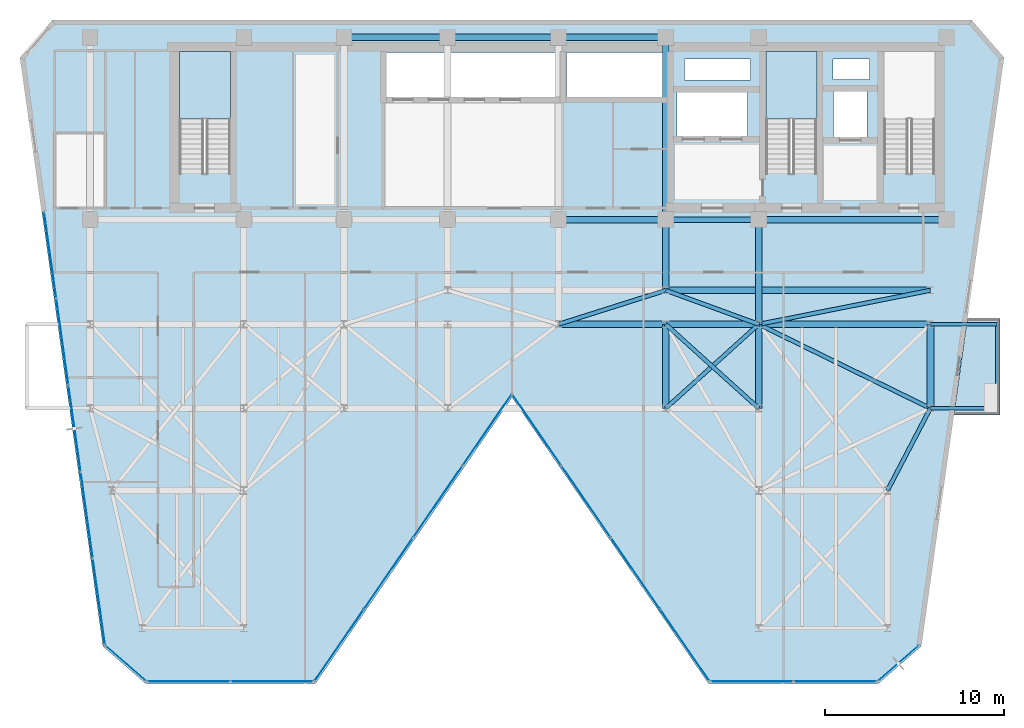
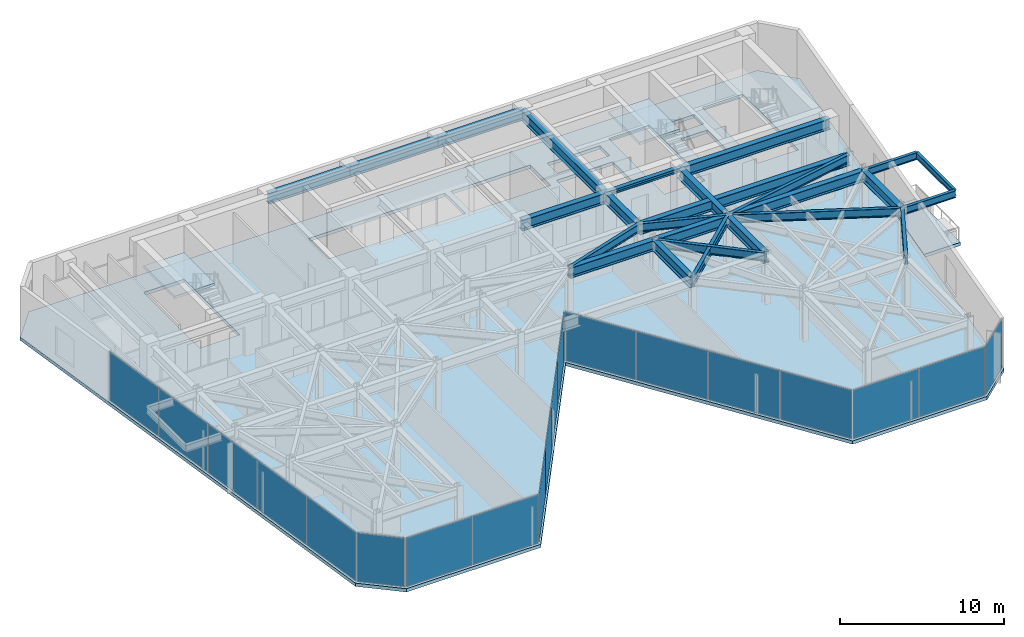
# One storey, part 21 of 27: 26 beams, 19 plates, 4 slabs, 9 elements without a shape of their own.
"""IFC4 building model written with IfcOpenShell, lengths in metres."""

from ifc_helpers import new_model, si_unit, direction, frame, origin, origin_2d, place, context, subcontext, project, spatial, polyline, rectangle, i_section, outline, extrude, material, layer, layer_set, material_profile, profile_set, type_object, element, aggregate, save


model = new_model("IFC4")

# Units and contexts
model_context = context("Model", 3, precision=1e-05, world=origin(), true_north=direction((0.0, 1.0)))
body_context = subcontext(model_context, "Body", "Model", "MODEL_VIEW")
ifc_project = project(units=[si_unit("LENGTHUNIT", "METRE"), si_unit("AREAUNIT", "SQUARE_METRE"), si_unit("VOLUMEUNIT", "CUBIC_METRE"), si_unit("PLANEANGLEUNIT", "RADIAN"), si_unit("MASSUNIT", "GRAM", prefix="KILO")], contexts=[model_context])

# Site, building, storey
site_placement = place(None, origin())
site = spatial("IfcSite", under=ifc_project, at=site_placement, CompositionType="ELEMENT")
building_placement = place(site_placement, origin())
building = spatial("IfcBuilding", under=site, at=building_placement, Name="Kravanh Interchange Tower", CompositionType="ELEMENT")
storey_placement = place(building_placement, frame((0.0, 0.0, 188.5)))
storey = spatial("IfcBuildingStorey", under=building, at=storey_placement, Name="L45", CompositionType="ELEMENT", Elevation=188.5)

# Beams
ifc_material_1 = material(Name="Structural Steel S355", Category="steel")
ifc_material_profile_1 = material_profile(ifc_material_1, i_section(OverallWidth=0.381103515625, OverallDepth=0.77294921875, WebThickness=0.0166015625, FlangeThickness=0.027099609375, FilletRadius=0.02490234375, at=origin_2d()), Name="W30X173")
ifc_profile_set_1 = profile_set([ifc_material_profile_1], Name="Structural Steel S355")
beam_type_1 = type_object("IfcBeamType", Name="Floor Beam W30X173 Structural Steel S355", PredefinedType="BEAM", material=ifc_profile_set_1)
beam_1_placement = place(storey_placement, frame((66.5, 37.35009765625, 3.368408203125), z_axis=(-1.0, 0.0, 0.0), x_axis=(0.0, -1.0, 0.0)))
element("IfcBeam", 1, at=beam_1_placement, inside=storey, type_object=beam_type_1, Name="L45 Primary Floor Girder 5", PredefinedType="BEAM", context=body_context, shape_type="SweptSolid", body=[
    extrude(i_section(OverallWidth=0.381103515625, OverallDepth=0.77294921875, WebThickness=0.0166015625, FlangeThickness=0.027099609375, FilletRadius=0.02490234375, at=origin_2d()), origin(), (0.0, 0.0, 1.0), 10.5),
])
beam_2_placement = place(storey_placement, frame((56.0, 37.35009765625, 3.368408203125), z_axis=(0.0, -1.0, 0.0), x_axis=(1.0, 0.0, 0.0)))
element("IfcBeam", 2, at=beam_2_placement, inside=storey, type_object=beam_type_1, Name="L45 Primary Floor Girder 7", PredefinedType="BEAM", context=body_context, shape_type="SweptSolid", body=[
    extrude(i_section(OverallWidth=0.381103515625, OverallDepth=0.77294921875, WebThickness=0.0166015625, FlangeThickness=0.027099609375, FilletRadius=0.02490234375, at=origin_2d()), origin(), (0.0, 0.0, 1.0), 5.85009765625),
])
beam_3_placement = place(storey_placement, frame((50.800048828125, 47.550048828125, 3.368408203125), z_axis=(-1.0, 0.0, 0.0), x_axis=(0.0, -1.0, 0.0)))
element("IfcBeam", 3, at=beam_3_placement, inside=storey, type_object=beam_type_1, Name="L45 Primary Floor Girder 8", PredefinedType="BEAM", context=body_context, shape_type="SweptSolid", body=[
    extrude(i_section(OverallWidth=0.381103515625, OverallDepth=0.77294921875, WebThickness=0.0166015625, FlangeThickness=0.027099609375, FilletRadius=0.02490234375, at=origin_2d()), origin(), (0.0, 0.0, 1.0), 6.0),
])
beam_4_placement = place(storey_placement, frame((50.800048828125, 47.550048828125, 3.368408203125), z_axis=(0.0, -1.0, 0.0), x_axis=(1.0, 0.0, 0.0)))
element("IfcBeam", 4, at=beam_4_placement, inside=storey, type_object=beam_type_1, Name="L45 Primary Floor Girder 9", PredefinedType="BEAM", context=body_context, shape_type="SweptSolid", body=[
    extrude(i_section(OverallWidth=0.381103515625, OverallDepth=0.77294921875, WebThickness=0.0166015625, FlangeThickness=0.027099609375, FilletRadius=0.02490234375, at=origin_2d()), origin(), (0.0, 0.0, 1.0), 10.199951171875),
])
beam_5_placement = place(storey_placement, frame((50.800048828125, 37.35009765625, 3.368408203125), z_axis=(0.0, -1.0, 0.0), x_axis=(1.0, 0.0, 0.0)))
element("IfcBeam", 5, at=beam_5_placement, inside=storey, type_object=beam_type_1, Name="L45 Primary Floor Girder 10", PredefinedType="BEAM", context=body_context, shape_type="SweptSolid", body=[
    extrude(i_section(OverallWidth=0.381103515625, OverallDepth=0.77294921875, WebThickness=0.0166015625, FlangeThickness=0.027099609375, FilletRadius=0.02490234375, at=origin_2d()), origin(), (0.0, 0.0, 1.0), 3.9501953125),
])
beam_6_placement = place(storey_placement, frame((50.800048828125, 37.35009765625, 3.368408203125), z_axis=(-1.0, 0.0, 0.0), x_axis=(0.0, -1.0, 0.0)))
element("IfcBeam", 6, at=beam_6_placement, inside=storey, type_object=beam_type_1, Name="L45 Primary Floor Girder 11", PredefinedType="BEAM", context=body_context, shape_type="SweptSolid", body=[
    extrude(i_section(OverallWidth=0.381103515625, OverallDepth=0.77294921875, WebThickness=0.0166015625, FlangeThickness=0.027099609375, FilletRadius=0.02490234375, at=origin_2d()), origin(), (0.0, 0.0, 1.0), 6.0),
])
beam_7_placement = place(storey_placement, frame((44.800048828125, 47.550048828125, 3.368408203125), z_axis=(-1.0, 0.0, 0.0), x_axis=(0.0, -1.0, 0.0)))
element("IfcBeam", 7, at=beam_7_placement, inside=storey, type_object=beam_type_1, Name="L45 Primary Floor Girder 15", PredefinedType="BEAM", context=body_context, shape_type="SweptSolid", body=[
    extrude(i_section(OverallWidth=0.381103515625, OverallDepth=0.77294921875, WebThickness=0.0166015625, FlangeThickness=0.027099609375, FilletRadius=0.02490234375, at=origin_2d()), origin(), (0.0, 0.0, 1.0), 6.199951171875),
])
beam_8_placement = place(storey_placement, frame((38.60009765625, 47.550048828125, 3.368408203125), z_axis=(-1.0, 0.0, 0.0), x_axis=(0.0, -1.0, 0.0)))
element("IfcBeam", 8, at=beam_8_placement, inside=storey, type_object=beam_type_1, Name="L45 Primary Floor Girder 19", PredefinedType="BEAM", context=body_context, shape_type="SweptSolid", body=[
    extrude(i_section(OverallWidth=0.381103515625, OverallDepth=0.77294921875, WebThickness=0.0166015625, FlangeThickness=0.027099609375, FilletRadius=0.02490234375, at=origin_2d()), origin(), (0.0, 0.0, 1.0), 5.800048828125),
])
for number, where, z_axis, x_axis, name in (
    (9, (50.800048828125, 26.800048828125, 3.368408203125), (0.0, 1.0, 0.0), (-1.0, 0.0, 0.0), "L45 Primary Floor Girder 49"),
    (10, (56.0, 26.800048828125, 3.368408203125), (0.0, 1.0, 0.0), (-1.0, 0.0, 0.0), "L45 Primary Floor Girder 54"),
    (11, (65.60009765625, 26.800048828125, 3.368408203125), (0.0, 1.0, 0.0), (-1.0, 0.0, 0.0), "L45 Primary Floor Girder 57"),
):
    element("IfcBeam", number, at=place(storey_placement, frame(where, z_axis=z_axis, x_axis=x_axis)), inside=storey, type_object=beam_type_1, Name=name, PredefinedType="BEAM", context=body_context, shape_type="SweptSolid", body=[
        extrude(i_section(OverallWidth=0.381103515625, OverallDepth=0.77294921875, WebThickness=0.0166015625, FlangeThickness=0.027099609375, FilletRadius=0.02490234375, at=origin_2d()), origin(), (0.0, 0.0, 1.0), 4.699951171875),
    ])
beam_9_placement = place(storey_placement, frame((44.800048828125, 31.5, 3.368408203125), z_axis=(1.0, 0.0, 0.0), x_axis=(0.0, 1.0, 0.0)))
element("IfcBeam", 12, at=beam_9_placement, inside=storey, type_object=beam_type_1, Name="L45 Primary Floor Girder 74", PredefinedType="BEAM", context=body_context, shape_type="SweptSolid", body=[
    extrude(i_section(OverallWidth=0.381103515625, OverallDepth=0.77294921875, WebThickness=0.0166015625, FlangeThickness=0.027099609375, FilletRadius=0.02490234375, at=origin_2d()), origin(), (0.0, 0.0, 1.0), 6.0),
])
beam_10_placement = place(storey_placement, frame((50.800048828125, 31.5, 3.368408203125), z_axis=(1.0, 0.0, 0.0), x_axis=(0.0, 1.0, 0.0)))
element("IfcBeam", 13, at=beam_10_placement, inside=storey, type_object=beam_type_1, Name="L45 Primary Floor Girder 77", PredefinedType="BEAM", context=body_context, shape_type="SweptSolid", body=[
    extrude(i_section(OverallWidth=0.381103515625, OverallDepth=0.77294921875, WebThickness=0.0166015625, FlangeThickness=0.027099609375, FilletRadius=0.02490234375, at=origin_2d()), origin(), (0.0, 0.0, 1.0), 5.199951171875),
])
beam_11_placement = place(storey_placement, frame((56.0, 31.5, 3.368408203125), z_axis=(1.0, 0.0, 0.0), x_axis=(0.0, 1.0, 0.0)))
element("IfcBeam", 14, at=beam_11_placement, inside=storey, type_object=beam_type_1, Name="L45 Primary Floor Girder 81", PredefinedType="BEAM", context=body_context, shape_type="SweptSolid", body=[
    extrude(i_section(OverallWidth=0.381103515625, OverallDepth=0.77294921875, WebThickness=0.0166015625, FlangeThickness=0.027099609375, FilletRadius=0.02490234375, at=origin_2d()), origin(), (0.0, 0.0, 1.0), 9.60009765625),
])
beam_12_placement = place(storey_placement, frame((50.800048828125, 33.39990234375, 3.368408203125), z_axis=(1.0, 0.0, 0.0), x_axis=(0.0, 1.0, 0.0)))
element("IfcBeam", 15, at=beam_12_placement, inside=storey, type_object=beam_type_1, Name="L45 Primary Floor Girder 95", PredefinedType="BEAM", context=body_context, shape_type="SweptSolid", body=[
    extrude(i_section(OverallWidth=0.381103515625, OverallDepth=0.77294921875, WebThickness=0.0166015625, FlangeThickness=0.027099609375, FilletRadius=0.02490234375, at=origin_2d()), origin(), (0.0, 0.0, 1.0), 14.800048828125),
])
ifc_material_2 = material(Name="Structural Steel S355", Category="steel")
ifc_material_profile_2 = material_profile(ifc_material_2, i_section(OverallWidth=0.18994140625, OverallDepth=0.45703125, WebThickness=0.009033203125, FlangeThickness=0.014404296875, FilletRadius=0.01806640625, at=origin_2d()), Name="W18X50")
ifc_profile_set_2 = profile_set([ifc_material_profile_2], Name="Structural Steel S355")
beam_type_2 = type_object("IfcBeamType", Name="Floor Joist W18X50 Structural Steel S355", PredefinedType="JOIST", material=ifc_profile_set_2)
beam_13_placement = place(storey_placement, frame((69.330078125, 26.800048828125, 3.526611328125), z_axis=(0.0, 1.0, 0.0), x_axis=(-1.0, 0.0, 0.0)))
element("IfcBeam", 16, at=beam_13_placement, inside=storey, type_object=beam_type_2, Name="L45 Balcony Edge Tie Beam E", PredefinedType="JOIST", context=body_context, shape_type="SweptSolid", body=[
    extrude(i_section(OverallWidth=0.18994140625, OverallDepth=0.45703125, WebThickness=0.009033203125, FlangeThickness=0.014404296875, FilletRadius=0.01806640625, at=origin_2d()), origin(), (0.0, 0.0, 1.0), 4.699951171875),
])
ifc_material_3 = material(Name="Structural Steel S355", Category="steel")
ifc_material_profile_3 = material_profile(ifc_material_3, i_section(OverallWidth=0.304931640625, OverallDepth=0.306884765625, WebThickness=0.010009765625, FlangeThickness=0.015380859375, FilletRadius=0.014892578125, at=origin_2d()), Name="W12X65")
ifc_profile_set_3 = profile_set([ifc_material_profile_3], Name="Structural Steel S355")
beam_type_3 = type_object("IfcBeamType", Name="Floor Lintel W12X65 Structural Steel S355", PredefinedType="LINTEL", material=ifc_profile_set_3)
beam_14_placement = place(storey_placement, frame((50.800048828125, 37.35009765625, 3.6015625), z_axis=(1.0, 0.0, 0.0), x_axis=(0.0, 1.0, 0.0)))
element("IfcBeam", 17, at=beam_14_placement, inside=storey, type_object=beam_type_3, Name="L45 Core Coupling Lintel 1", PredefinedType="LINTEL", context=body_context, shape_type="SweptSolid", body=[
    extrude(i_section(OverallWidth=0.304931640625, OverallDepth=0.306884765625, WebThickness=0.010009765625, FlangeThickness=0.015380859375, FilletRadius=0.014892578125, at=origin_2d()), origin(), (0.0, 0.0, 1.0), 5.199951171875),
])
ifc_material_4 = material(Name="Structural Steel S355", Category="steel")
ifc_material_profile_4 = material_profile(ifc_material_4, i_section(OverallWidth=0.2099609375, OverallDepth=0.537109375, WebThickness=0.010986328125, FlangeThickness=0.017333984375, FilletRadius=0.02001953125, at=origin_2d()), Name="W21X68")
ifc_profile_set_4 = profile_set([ifc_material_profile_4], Name="Structural Steel S355")
beam_type_4 = type_object("IfcBeamType", Name="Floor Spandrel W21X68 Structural Steel S355", PredefinedType="SPANDREL", material=ifc_profile_set_4)
for number, where, z_axis, x_axis, name in (
    (18, (65.60009765625, 26.800048828125, 3.486572265625), (1.0, 0.0, 0.0), (0.0, 1.0, 0.0), "L45 Balcony Cantilever Outrigger E1"),
    (19, (65.60009765625, 31.5, 3.486572265625), (1.0, 0.0, 0.0), (0.0, 1.0, 0.0), "L45 Balcony Cantilever Outrigger E2"),
):
    element("IfcBeam", number, at=place(storey_placement, frame(where, z_axis=z_axis, x_axis=x_axis)), inside=storey, type_object=beam_type_4, Name=name, PredefinedType="SPANDREL", context=body_context, shape_type="SweptSolid", body=[
        extrude(i_section(OverallWidth=0.2099609375, OverallDepth=0.537109375, WebThickness=0.010986328125, FlangeThickness=0.017333984375, FilletRadius=0.02001953125, at=origin_2d()), origin(), (0.0, 0.0, 1.0), 3.72998046875),
    ])
ifc_material_5 = material(Name="Structural Steel S355", Category="steel")
ifc_material_profile_5 = material_profile(ifc_material_5, i_section(OverallWidth=0.22802734375, OverallDepth=0.60791015625, WebThickness=0.01123046875, FlangeThickness=0.017333984375, FilletRadius=0.02197265625, at=origin_2d()), Name="W24X76")
ifc_profile_set_5 = profile_set([ifc_material_profile_5], Name="Structural Steel S355")
beam_type_5 = type_object("IfcBeamType", Name="Floor Spandrel W24X76 Structural Steel S355", PredefinedType="SPANDREL", material=ifc_profile_set_5)
for number, where, z_axis, x_axis, name in (
    (20, (50.800048828125, 26.800048828125, 3.450927734375), (0.741874009795, 0.670539300557, 0.0), (-0.670539300557, 0.741874009795, 0.0), "L45 Perimeter Spandrel 52"),
    (21, (56.0, 26.800048828125, 3.450927734375), (-0.741874009795, 0.670539300557, 0.0), (-0.670539300557, -0.741874009795, 0.0), "L45 Perimeter Spandrel 55"),
):
    element("IfcBeam", number, at=place(storey_placement, frame(where, z_axis=z_axis, x_axis=x_axis)), inside=storey, type_object=beam_type_5, Name=name, PredefinedType="SPANDREL", context=body_context, shape_type="SweptSolid", body=[
        extrude(i_section(OverallWidth=0.22802734375, OverallDepth=0.60791015625, WebThickness=0.01123046875, FlangeThickness=0.017333984375, FilletRadius=0.02197265625, at=origin_2d()), origin(), (0.0, 0.0, 1.0), 7.00927734375),
    ])
beam_15_placement = place(storey_placement, frame((65.60009765625, 26.800048828125, 3.450927734375), z_axis=(-0.462580479178, -0.886577295155, 0.0), x_axis=(0.886577295155, -0.462580479178, 0.0)))
element("IfcBeam", 22, at=beam_15_placement, inside=storey, type_object=beam_type_5, Name="L45 Perimeter Spandrel 58", PredefinedType="SPANDREL", context=body_context, shape_type="SweptSolid", body=[
    extrude(i_section(OverallWidth=0.22802734375, OverallDepth=0.60791015625, WebThickness=0.01123046875, FlangeThickness=0.017333984375, FilletRadius=0.02197265625, at=origin_2d()), origin(), (0.0, 0.0, 1.0), 5.188720703125),
])
beam_16_placement = place(storey_placement, frame((65.60009765625, 26.800048828125, 3.450927734375), z_axis=(-0.898141688387, 0.439706160499, 0.0), x_axis=(-0.439706160499, -0.898141688387, 0.0)))
element("IfcBeam", 23, at=beam_16_placement, inside=storey, type_object=beam_type_5, Name="L45 Perimeter Spandrel 60", PredefinedType="SPANDREL", context=body_context, shape_type="SweptSolid", body=[
    extrude(i_section(OverallWidth=0.22802734375, OverallDepth=0.60791015625, WebThickness=0.01123046875, FlangeThickness=0.017333984375, FilletRadius=0.02197265625, at=origin_2d()), origin(), (0.0, 0.0, 1.0), 10.68896484375),
])
beam_17_placement = place(storey_placement, frame((44.800048828125, 31.5, 3.450927734375), z_axis=(0.953346691051, 0.301877602122, 0.0), x_axis=(-0.301877602122, 0.953346691051, 0.0)))
element("IfcBeam", 24, at=beam_17_placement, inside=storey, type_object=beam_type_5, Name="L45 Perimeter Spandrel 75", PredefinedType="SPANDREL", context=body_context, shape_type="SweptSolid", body=[
    extrude(i_section(OverallWidth=0.22802734375, OverallDepth=0.60791015625, WebThickness=0.01123046875, FlangeThickness=0.017333984375, FilletRadius=0.02197265625, at=origin_2d()), origin(), (0.0, 0.0, 1.0), 6.293701171875),
])
beam_18_placement = place(storey_placement, frame((56.0, 31.5, 3.450927734375), z_axis=(-0.93926957103, 0.343180233896, 0.0), x_axis=(-0.343180233896, -0.93926957103, 0.0)))
element("IfcBeam", 25, at=beam_18_placement, inside=storey, type_object=beam_type_5, Name="L45 Perimeter Spandrel 80", PredefinedType="SPANDREL", context=body_context, shape_type="SweptSolid", body=[
    extrude(i_section(OverallWidth=0.22802734375, OverallDepth=0.60791015625, WebThickness=0.01123046875, FlangeThickness=0.017333984375, FilletRadius=0.02197265625, at=origin_2d()), origin(), (0.0, 0.0, 1.0), 5.5361328125),
])
beam_19_placement = place(storey_placement, frame((56.0, 31.5, 3.450927734375), z_axis=(0.980974000807, 0.194139150457, 0.0), x_axis=(-0.194139150457, 0.980974000807, 0.0)))
element("IfcBeam", 26, at=beam_19_placement, inside=storey, type_object=beam_type_5, Name="L45 Perimeter Spandrel 82", PredefinedType="SPANDREL", context=body_context, shape_type="SweptSolid", body=[
    extrude(i_section(OverallWidth=0.22802734375, OverallDepth=0.60791015625, WebThickness=0.01123046875, FlangeThickness=0.017333984375, FilletRadius=0.02197265625, at=origin_2d()), origin(), (0.0, 0.0, 1.0), 9.786376953125),
])

# Slab
ifc_material_6 = material(Name="Concrete C50/60", Category="concrete")
ifc_layer_1 = layer(ifc_material_6, 0.2451171875)
ifc_layer_set_1 = layer_set([ifc_layer_1], Name="Composite Floor Slab Concrete C50/60 245mm")
slab_type_1 = type_object("IfcSlabType", Name="Composite Floor Slab Concrete C50/60 245mm", PredefinedType="FLOOR", material=ifc_layer_set_1)
slab_1_placement = place(storey_placement, frame((0.0, 0.0, -0.2451171875)))
element("IfcSlab", 27, at=slab_1_placement, inside=storey, type_object=slab_type_1, Name="L45 Structural Floor Slab", PredefinedType="FLOOR", context=body_context, shape_type="SweptSolid", body=[
    extrude(outline(polyline([(19.32177734375, 13.4794921875), (21.714111328125, 11.39990234375), (31.199951171875, 11.39990234375), (42.199951171875, 27.39990234375), (53.199951171875, 11.39990234375), (62.685791015625, 11.39990234375), (65.078125, 13.4794921875), (69.707763671875, 46.42041015625), (67.89990234375, 48.5), (16.5, 48.5), (14.6923828125, 46.42041015625), (19.32177734375, 13.4794921875)]), holes=[polyline([(65.85009765625, 39.925048828125), (65.85009765625, 46.75), (63.0, 46.75), (63.0, 39.925048828125), (65.85009765625, 39.925048828125)]), polyline([(59.25, 39.925048828125), (59.25, 46.75), (56.39990234375, 46.75), (56.39990234375, 39.925048828125), (59.25, 39.925048828125)]), polyline([(26.449951171875, 39.925048828125), (26.449951171875, 46.75), (23.60009765625, 46.75), (23.60009765625, 39.925048828125), (26.449951171875, 39.925048828125)]), polyline([(35.179931640625, 44.219970703125), (44.840087890625, 44.219970703125), (44.840087890625, 46.699951171875), (35.179931640625, 46.699951171875), (35.179931640625, 44.219970703125)]), polyline([(45.239990234375, 44.219970703125), (50.840087890625, 44.219970703125), (50.840087890625, 46.699951171875), (45.239990234375, 46.699951171875), (45.239990234375, 44.219970703125)]), polyline([(51.419921875, 42.02001953125), (55.3798828125, 42.02001953125), (55.3798828125, 44.47998046875), (51.419921875, 44.47998046875), (51.419921875, 42.02001953125)]), polyline([(60.179931640625, 41.97998046875), (62.06005859375, 41.97998046875), (62.06005859375, 44.52001953125), (60.179931640625, 44.52001953125), (60.179931640625, 41.97998046875)]), polyline([(60.14990234375, 45.199951171875), (62.199951171875, 45.199951171875), (62.199951171875, 46.35009765625), (60.14990234375, 46.35009765625), (60.14990234375, 45.199951171875)]), polyline([(51.85009765625, 45.14990234375), (55.550048828125, 45.14990234375), (55.550048828125, 46.35009765625), (51.85009765625, 46.35009765625), (51.85009765625, 45.14990234375)])]), origin(), (0.0, 0.0, 1.0), 0.2451171875),
])

# Stair, slab
ifc_material_7 = material(Name="Concrete C50/60", Category="concrete")
stair_type = type_object("IfcStairType", Name="Core Fire Exit Dogleg Stair Concrete C50/60", PredefinedType="HALF_TURN_STAIR", material=ifc_material_7)
stair_1_placement = place(storey_placement, origin())
stair_1 = element("IfcStair", 28, at=stair_1_placement, inside=storey, type_object=stair_type, Name="L45 Exit Stair ST2", PredefinedType="HALF_TURN_STAIR")
ifc_material_8 = material(Name="Concrete C50/60", Category="concrete")
ifc_layer_2 = layer(ifc_material_8, 0.199951171875)
ifc_layer_set_2 = layer_set([ifc_layer_2], Name="Concrete C50/60 Stair Half-Landing Slab 200mm")
slab_type_2 = type_object("IfcSlabType", Name="Concrete C50/60 Stair Half-Landing Slab 200mm", PredefinedType="LANDING", material=ifc_layer_set_2)
slab_2_placement = place(storey_placement, frame((0.0, 0.0, 1.800048828125)))
slab_2 = element("IfcSlab", 29, at=slab_2_placement, type_object=slab_type_2, Name="ST2 landing 1", PredefinedType="LANDING", context=body_context, shape_type="SweptSolid", body=[
    extrude(outline(polyline([(59.25, 42.97998046875), (59.25, 46.75), (56.39990234375, 46.75), (56.39990234375, 42.97998046875), (59.25, 42.97998046875)])), origin(), (0.0, 0.0, 1.0), 0.199951171875),
])
aggregate(stair_1, [slab_2])

stair_2_placement = place(storey_placement, origin())
stair_2 = element("IfcStair", 30, at=stair_2_placement, inside=storey, type_object=stair_type, Name="L45 Exit Stair ST3", PredefinedType="HALF_TURN_STAIR")
slab_3_placement = place(storey_placement, frame((0.0, 0.0, 1.800048828125)))
slab_3 = element("IfcSlab", 31, at=slab_3_placement, type_object=slab_type_2, Name="ST3 landing 1", PredefinedType="LANDING", context=body_context, shape_type="SweptSolid", body=[
    extrude(outline(polyline([(26.449951171875, 42.97998046875), (26.449951171875, 46.75), (23.60009765625, 46.75), (23.60009765625, 42.97998046875), (26.449951171875, 42.97998046875)])), origin(), (0.0, 0.0, 1.0), 0.199951171875),
])
aggregate(stair_2, [slab_3])

# Curtain wall, plates
ifc_material_9 = material(Name="Anodised Bronze Aluminium", Category="aluminium")
ifc_layer_3 = layer(ifc_material_9, 0.179931640625)
ifc_layer_set_3 = layer_set([ifc_layer_3], Name="Unitised Curtain Wall System CW-Z3 Upper Office")
curtain_wall_type = type_object("IfcCurtainWallType", Name="Unitised Curtain Wall System CW-Z3 Upper Office", PredefinedType="NOTDEFINED", material=ifc_layer_set_3)
curtain_wall_1_placement = place(storey_placement, origin())
curtain_wall_1 = element("IfcCurtainWall", 32, at=curtain_wall_1_placement, inside=storey, type_object=curtain_wall_type, Name="L45 Unitised Curtain Wall CW-L45-01", PredefinedType="NOTDEFINED")
ifc_material_10 = material(Name="Low-E Laminated Architectural Glass", Category="glass")
ifc_layer_4 = layer(ifc_material_10, 0.02392578125)
ifc_layer_set_4 = layer_set([ifc_layer_4], Name="High-Selectivity Double Glazing 24mm")
plate_type = type_object("IfcPlateType", Name="High-Selectivity Double Glazing 24mm", PredefinedType="CURTAIN_PANEL", material=ifc_layer_set_4)
plate_1_placement = place(storey_placement, frame((19.09130859375, 15.9814453125, 0.06005859375), z_axis=(0.0, 0.0, 1.0), x_axis=(-0.139172209446, 0.990268194035, 0.0)))
plate_1 = element("IfcPlate", 33, at=plate_1_placement, type_object=plate_type, Name="CW-Z3 panel 1.1", PredefinedType="CURTAIN_PANEL", context=body_context, shape_type="SweptSolid", body=[
    extrude(rectangle(XDim=4.8095703125, YDim=0.02392578125, at=origin_2d()), origin(), (0.0, 0.0, 1.0), 3.635009765625),
])
plate_2_placement = place(storey_placement, frame((18.41162109375, 20.818603515625, 0.06005859375), z_axis=(0.0, 0.0, 1.0), x_axis=(-0.139172209446, 0.990268194035, 0.0)))
plate_2 = element("IfcPlate", 34, at=plate_2_placement, type_object=plate_type, Name="CW-Z3 panel 2.1", PredefinedType="CURTAIN_PANEL", context=body_context, shape_type="SweptSolid", body=[
    extrude(rectangle(XDim=4.839599609375, YDim=0.02392578125, at=origin_2d()), origin(), (0.0, 0.0, 1.0), 3.635009765625),
])
plate_3_placement = place(storey_placement, frame((17.729736328125, 25.67041015625, 0.06005859375), z_axis=(0.0, 0.0, 1.0), x_axis=(-0.139172209446, 0.990268194035, 0.0)))
plate_3 = element("IfcPlate", 35, at=plate_3_placement, type_object=plate_type, Name="CW-Z3 panel 3.1", PredefinedType="CURTAIN_PANEL", context=body_context, shape_type="SweptSolid", body=[
    extrude(rectangle(XDim=4.839599609375, YDim=0.02392578125, at=origin_2d()), origin(), (0.0, 0.0, 1.0), 3.635009765625),
])
plate_4_placement = place(storey_placement, frame((17.0478515625, 30.522216796875, 0.06005859375), z_axis=(0.0, 0.0, 1.0), x_axis=(-0.139172209446, 0.990268194035, 0.0)))
plate_4 = element("IfcPlate", 36, at=plate_4_placement, type_object=plate_type, Name="CW-Z3 panel 4.1", PredefinedType="CURTAIN_PANEL", context=body_context, shape_type="SweptSolid", body=[
    extrude(rectangle(XDim=4.839599609375, YDim=0.02392578125, at=origin_2d()), origin(), (0.0, 0.0, 1.0), 3.635009765625),
])
plate_5_placement = place(storey_placement, frame((16.367919921875, 35.359130859375, 0.06005859375), z_axis=(0.0, 0.0, 1.0), x_axis=(-0.139172209446, 0.990268194035, 0.0)))
plate_5 = element("IfcPlate", 37, at=plate_5_placement, type_object=plate_type, Name="CW-Z3 panel 5.1", PredefinedType="CURTAIN_PANEL", context=body_context, shape_type="SweptSolid", body=[
    extrude(rectangle(XDim=4.8095703125, YDim=0.02392578125, at=origin_2d()), origin(), (0.0, 0.0, 1.0), 3.635009765625),
])
aggregate(curtain_wall_1, [plate_1, plate_2, plate_3, plate_4, plate_5])

# Curtain wall, plate
curtain_wall_2_placement = place(storey_placement, origin())
curtain_wall_2 = element("IfcCurtainWall", 38, at=curtain_wall_2_placement, inside=storey, type_object=curtain_wall_type, Name="L45 Unitised Curtain Wall CW-L45-02", PredefinedType="NOTDEFINED")
plate_6_placement = place(storey_placement, frame((63.80322265625, 12.5302734375, 0.06005859375), z_axis=(0.0, 0.0, 1.0), x_axis=(-0.754716645379, -0.65605090137, 0.0)))
plate_6 = element("IfcPlate", 39, at=plate_6_placement, type_object=plate_type, Name="CW-Z3 panel 1.1", PredefinedType="CURTAIN_PANEL", context=body_context, shape_type="SweptSolid", body=[
    extrude(rectangle(XDim=2.960205078125, YDim=0.02392578125, at=origin_2d()), origin(), (0.0, 0.0, 1.0), 3.635009765625),
])
aggregate(curtain_wall_2, [plate_6])

# Curtain wall, plates
curtain_wall_3_placement = place(storey_placement, origin())
curtain_wall_3 = element("IfcCurtainWall", 40, at=curtain_wall_3_placement, inside=storey, type_object=curtain_wall_type, Name="L45 Unitised Curtain Wall CW-L45-03", PredefinedType="NOTDEFINED")
plate_7_placement = place(storey_placement, frame((60.281494140625, 11.52001953125, 0.06005859375), z_axis=(0.0, 0.0, 1.0), x_axis=(-1.0, 0.0, 0.0)))
plate_7 = element("IfcPlate", 41, at=plate_7_placement, type_object=plate_type, Name="CW-Z3 panel 1.1", PredefinedType="CURTAIN_PANEL", context=body_context, shape_type="SweptSolid", body=[
    extrude(rectangle(XDim=4.598876953125, YDim=0.02392578125, at=origin_2d()), origin(), (0.0, 0.0, 1.0), 3.635009765625),
])
plate_8_placement = place(storey_placement, frame((55.62255859375, 11.52001953125, 0.06005859375), z_axis=(0.0, 0.0, 1.0), x_axis=(-1.0, 0.0, 0.0)))
plate_8 = element("IfcPlate", 42, at=plate_8_placement, type_object=plate_type, Name="CW-Z3 panel 2.1", PredefinedType="CURTAIN_PANEL", context=body_context, shape_type="SweptSolid", body=[
    extrude(rectangle(XDim=4.598876953125, YDim=0.02392578125, at=origin_2d()), origin(), (0.0, 0.0, 1.0), 3.635009765625),
])
aggregate(curtain_wall_3, [plate_7, plate_8])

curtain_wall_4_placement = place(storey_placement, origin())
curtain_wall_4 = element("IfcCurtainWall", 43, at=curtain_wall_4_placement, inside=storey, type_object=curtain_wall_type, Name="L45 Unitised Curtain Wall CW-L45-04", PredefinedType="NOTDEFINED")
plate_9_placement = place(storey_placement, frame((51.871826171875, 13.5439453125, 0.06005859375), z_axis=(0.0, 0.0, 1.0), x_axis=(-0.566528388217, 0.824042223035, 0.0)))
plate_9 = element("IfcPlate", 44, at=plate_9_placement, type_object=plate_type, Name="CW-Z3 panel 1.1", PredefinedType="CURTAIN_PANEL", context=body_context, shape_type="SweptSolid", body=[
    extrude(rectangle(XDim=4.7919921875, YDim=0.02392578125, at=origin_2d()), origin(), (0.0, 0.0, 1.0), 3.635009765625),
])
plate_10_placement = place(storey_placement, frame((49.114501953125, 17.554443359375, 0.06005859375), z_axis=(0.0, 0.0, 1.0), x_axis=(-0.566528388217, 0.824042223035, 0.0)))
plate_10 = element("IfcPlate", 45, at=plate_10_placement, type_object=plate_type, Name="CW-Z3 panel 2.1", PredefinedType="CURTAIN_PANEL", context=body_context, shape_type="SweptSolid", body=[
    extrude(rectangle(XDim=4.822021484375, YDim=0.02392578125, at=origin_2d()), origin(), (0.0, 0.0, 1.0), 3.635009765625),
])
plate_11_placement = place(storey_placement, frame((46.3486328125, 21.577392578125, 0.06005859375), z_axis=(0.0, 0.0, 1.0), x_axis=(-0.566528388217, 0.824042223035, 0.0)))
plate_11 = element("IfcPlate", 46, at=plate_11_placement, type_object=plate_type, Name="CW-Z3 panel 3.1", PredefinedType="CURTAIN_PANEL", context=body_context, shape_type="SweptSolid", body=[
    extrude(rectangle(XDim=4.822021484375, YDim=0.02392578125, at=origin_2d()), origin(), (0.0, 0.0, 1.0), 3.635009765625),
])
plate_12_placement = place(storey_placement, frame((43.59130859375, 25.587890625, 0.06005859375), z_axis=(0.0, 0.0, 1.0), x_axis=(-0.566528388217, 0.824042223035, 0.0)))
plate_12 = element("IfcPlate", 47, at=plate_12_placement, type_object=plate_type, Name="CW-Z3 panel 4.1", PredefinedType="CURTAIN_PANEL", context=body_context, shape_type="SweptSolid", body=[
    extrude(rectangle(XDim=4.7919921875, YDim=0.02392578125, at=origin_2d()), origin(), (0.0, 0.0, 1.0), 3.635009765625),
])
aggregate(curtain_wall_4, [plate_9, plate_10, plate_11, plate_12])

curtain_wall_5_placement = place(storey_placement, origin())
curtain_wall_5 = element("IfcCurtainWall", 48, at=curtain_wall_5_placement, inside=storey, type_object=curtain_wall_type, Name="L45 Unitised Curtain Wall CW-L45-05", PredefinedType="NOTDEFINED")
plate_13_placement = place(storey_placement, frame((40.80859375, 25.587890625, 0.06005859375), z_axis=(0.0, 0.0, 1.0), x_axis=(-0.566528388217, -0.824042223035, 0.0)))
plate_13 = element("IfcPlate", 49, at=plate_13_placement, type_object=plate_type, Name="CW-Z3 panel 1.1", PredefinedType="CURTAIN_PANEL", context=body_context, shape_type="SweptSolid", body=[
    extrude(rectangle(XDim=4.7919921875, YDim=0.02392578125, at=origin_2d()), origin(), (0.0, 0.0, 1.0), 3.635009765625),
])
plate_14_placement = place(storey_placement, frame((38.05126953125, 21.577392578125, 0.06005859375), z_axis=(0.0, 0.0, 1.0), x_axis=(-0.566528388217, -0.824042223035, 0.0)))
plate_14 = element("IfcPlate", 50, at=plate_14_placement, type_object=plate_type, Name="CW-Z3 panel 2.1", PredefinedType="CURTAIN_PANEL", context=body_context, shape_type="SweptSolid", body=[
    extrude(rectangle(XDim=4.822021484375, YDim=0.02392578125, at=origin_2d()), origin(), (0.0, 0.0, 1.0), 3.635009765625),
])
plate_15_placement = place(storey_placement, frame((35.28564453125, 17.554443359375, 0.06005859375), z_axis=(0.0, 0.0, 1.0), x_axis=(-0.566528388217, -0.824042223035, 0.0)))
plate_15 = element("IfcPlate", 51, at=plate_15_placement, type_object=plate_type, Name="CW-Z3 panel 3.1", PredefinedType="CURTAIN_PANEL", context=body_context, shape_type="SweptSolid", body=[
    extrude(rectangle(XDim=4.822021484375, YDim=0.02392578125, at=origin_2d()), origin(), (0.0, 0.0, 1.0), 3.635009765625),
])
plate_16_placement = place(storey_placement, frame((32.5283203125, 13.5439453125, 0.06005859375), z_axis=(0.0, 0.0, 1.0), x_axis=(-0.566528388217, -0.824042223035, 0.0)))
plate_16 = element("IfcPlate", 52, at=plate_16_placement, type_object=plate_type, Name="CW-Z3 panel 4.1", PredefinedType="CURTAIN_PANEL", context=body_context, shape_type="SweptSolid", body=[
    extrude(rectangle(XDim=4.7919921875, YDim=0.02392578125, at=origin_2d()), origin(), (0.0, 0.0, 1.0), 3.635009765625),
])
aggregate(curtain_wall_5, [plate_13, plate_14, plate_15, plate_16])

curtain_wall_6_placement = place(storey_placement, origin())
curtain_wall_6 = element("IfcCurtainWall", 53, at=curtain_wall_6_placement, inside=storey, type_object=curtain_wall_type, Name="L45 Unitised Curtain Wall CW-L45-06", PredefinedType="NOTDEFINED")
plate_17_placement = place(storey_placement, frame((28.77734375, 11.52001953125, 0.06005859375), z_axis=(0.0, 0.0, 1.0), x_axis=(-1.0, 0.0, 0.0)))
plate_17 = element("IfcPlate", 54, at=plate_17_placement, type_object=plate_type, Name="CW-Z3 panel 1.1", PredefinedType="CURTAIN_PANEL", context=body_context, shape_type="SweptSolid", body=[
    extrude(rectangle(XDim=4.598876953125, YDim=0.02392578125, at=origin_2d()), origin(), (0.0, 0.0, 1.0), 3.635009765625),
])
plate_18_placement = place(storey_placement, frame((24.118408203125, 11.52001953125, 0.06005859375), z_axis=(0.0, 0.0, 1.0), x_axis=(-1.0, 0.0, 0.0)))
plate_18 = element("IfcPlate", 55, at=plate_18_placement, type_object=plate_type, Name="CW-Z3 panel 2.1", PredefinedType="CURTAIN_PANEL", context=body_context, shape_type="SweptSolid", body=[
    extrude(rectangle(XDim=4.598876953125, YDim=0.02392578125, at=origin_2d()), origin(), (0.0, 0.0, 1.0), 3.635009765625),
])
aggregate(curtain_wall_6, [plate_17, plate_18])

# Curtain wall, plate
curtain_wall_7_placement = place(storey_placement, origin())
curtain_wall_7 = element("IfcCurtainWall", 56, at=curtain_wall_7_placement, inside=storey, type_object=curtain_wall_type, Name="L45 Unitised Curtain Wall CW-L45-07", PredefinedType="NOTDEFINED")
plate_19_placement = place(storey_placement, frame((20.5966796875, 12.5302734375, 0.06005859375), z_axis=(0.0, 0.0, 1.0), x_axis=(-0.754716645379, 0.65605090137, 0.0)))
plate_19 = element("IfcPlate", 57, at=plate_19_placement, type_object=plate_type, Name="CW-Z3 panel 1.1", PredefinedType="CURTAIN_PANEL", context=body_context, shape_type="SweptSolid", body=[
    extrude(rectangle(XDim=2.960205078125, YDim=0.02392578125, at=origin_2d()), origin(), (0.0, 0.0, 1.0), 3.635009765625),
])
aggregate(curtain_wall_7, [plate_19])

# Slab
ifc_material_11 = material(Name="Concrete C50/60", Category="concrete")
ifc_layer_5 = layer(ifc_material_11, 0.199951171875)
ifc_layer_set_5 = layer_set([ifc_layer_5], Name="Planted Tree Balcony Slab Concrete C50/60 200mm")
slab_type_3 = type_object("IfcSlabType", Name="Planted Tree Balcony Slab Concrete C50/60 200mm", PredefinedType="USERDEFINED", material=ifc_layer_set_5)
slab_4_placement = place(storey_placement, frame((0.0, 0.0, -0.2451171875)))
element("IfcSlab", 58, at=slab_4_placement, inside=storey, type_object=slab_type_3, Name="L45 East Tree Planter Balcony Slab", ObjectType="BALCONY", PredefinedType="USERDEFINED", context=body_context, shape_type="SweptSolid", body=[
    extrude(outline(polyline([(69.489990234375, 31.830078125), (69.489990234375, 26.429931640625), (66.913330078125, 26.429931640625), (67.67236328125, 31.830078125), (69.489990234375, 31.830078125)])), origin(), (0.0, 0.0, 1.0), 0.2451171875),
])

save(model, "model.ifc")
